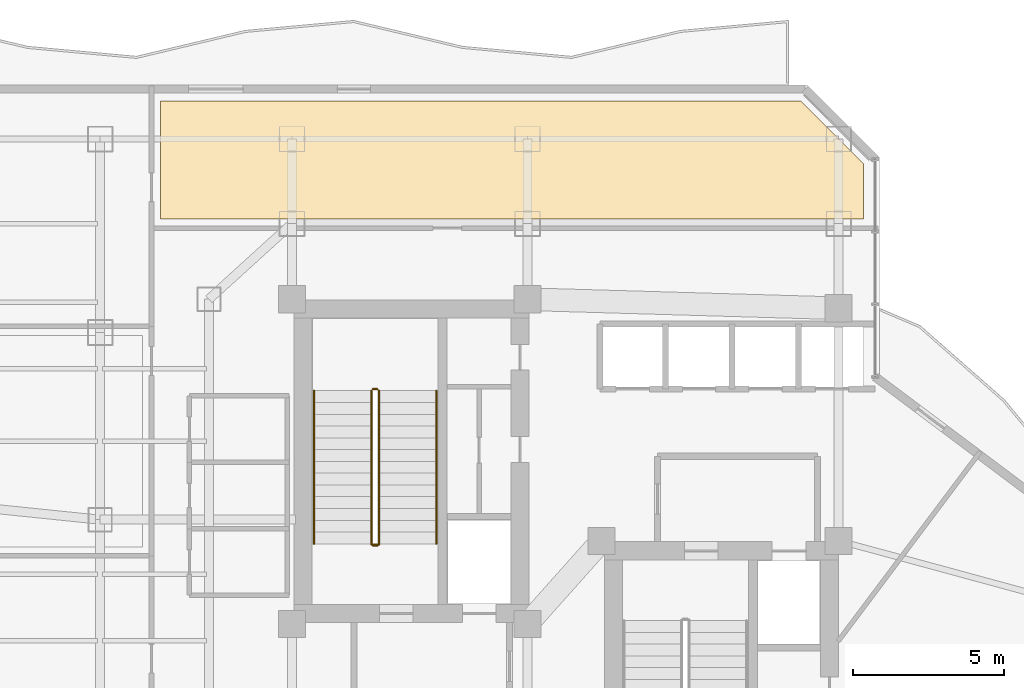
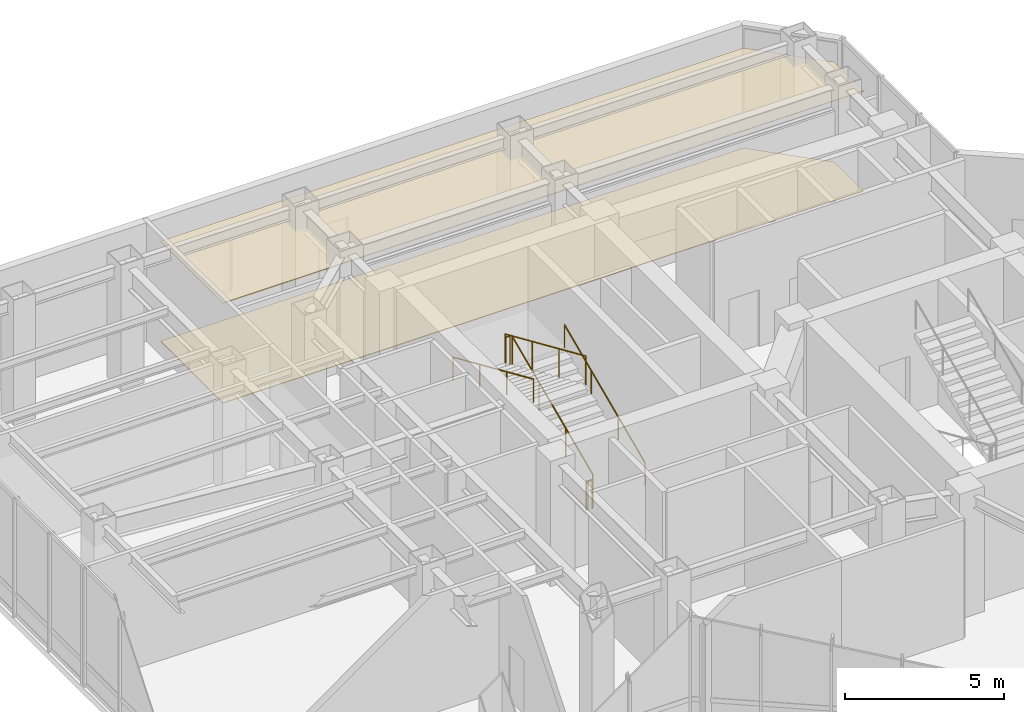
# One storey, part 29 of 30: 7 railings, 2 coverings.
"""IFC4 building model written with IfcOpenShell, lengths in metres."""

import ifcopenshell
import ifcopenshell.guid

model = None  # the IFC model being written
_history = None  # IfcOwnerHistory: only IFC2X3 demands one
_inside = {}  # id of a spatial element -> (the spatial element, [elements in it])
_under = {}  # id of a project, library or spatial element -> (it, [spatial elements below it])
_declared = {}  # id of a project -> (the project, [libraries it declares])
_typed = {}  # id of a type object -> (the type object, [elements of that type])
_made_of = {}  # id of a material, layer set ... -> (it, [elements and type objects made of it])


def new_model(schema):
    """Start an empty IFC model of exactly this schema.

    Asked for "IFC4X3", IfcOpenShell would pick the latest addendum, in which some entities
    have other attributes; the version numbers below select the first issue.
    IFC2X3 requires an IfcOwnerHistory on every rooted entity: one is made here for all.
    """
    global model, _history
    if schema == "IFC4X3":
        model = ifcopenshell.file(schema_version=(4, 3, 0, 0))
    else:
        model = ifcopenshell.file(schema=schema)
    _inside.clear()
    _under.clear()
    _declared.clear()
    _typed.clear()
    _made_of.clear()
    _history = None
    if model.schema == "IFC2X3":
        org = make("IfcOrganization", Name="unknown")
        user = make(
            "IfcPersonAndOrganization",
            ThePerson=make("IfcPerson", FamilyName="unknown"),
            TheOrganization=org,
        )
        app = make(
            "IfcApplication",
            ApplicationDeveloper=org,
            Version="unknown",
            ApplicationFullName="unknown",
            ApplicationIdentifier="unknown",
        )
        _history = make(
            "IfcOwnerHistory",
            OwningUser=user,
            OwningApplication=app,
            ChangeAction="ADDED",
            CreationDate=0,
        )
    return model


def make(cls, **values):
    """One entity of the class cls with the attributes given. An attribute that is None is left unset."""
    return model.create_entity(
        cls, **{name: value for name, value in values.items() if value is not None}
    )


def rooted(cls, **values):
    """An entity with a GlobalId (a new one), such as an element, a storey or a relation."""
    return make(cls, GlobalId=ifcopenshell.guid.new(), OwnerHistory=_history, **values)


def si_unit(unit_type, name, prefix=None):
    """IfcSIUnit, for example si_unit("LENGTHUNIT", "METRE", prefix="MILLI")."""
    return make("IfcSIUnit", UnitType=unit_type, Prefix=prefix, Name=name)


def assignment(units):
    """IfcUnitAssignment: the units of a project."""
    return None if units is None else make("IfcUnitAssignment", Units=units)


def point(xyz):
    """IfcCartesianPoint."""
    return None if xyz is None else make("IfcCartesianPoint", Coordinates=xyz)


def direction(xyz):
    """IfcDirection."""
    return None if xyz is None else make("IfcDirection", DirectionRatios=xyz)


def frame(location, z_axis=None, x_axis=None):
    """IfcAxis2Placement3D, a coordinate frame: its origin and axes. An axis left out is left unset."""
    return make(
        "IfcAxis2Placement3D",
        Location=point(location),
        Axis=direction(z_axis),
        RefDirection=direction(x_axis),
    )


def frame_2d(location, x_axis=None):
    """IfcAxis2Placement2D, a coordinate frame in the plane: its origin and x axis."""
    return make(
        "IfcAxis2Placement2D", Location=point(location), RefDirection=direction(x_axis)
    )


def origin():
    """The frame at (0, 0, 0) with its axes left unset."""
    return frame((0.0, 0.0, 0.0))


def origin_2d():
    """The frame at (0, 0) in the plane with its x axis left unset."""
    return frame_2d((0.0, 0.0))


def place(relative_to, where):
    """IfcLocalPlacement: puts the frame where relative to a parent placement (None: the world)."""
    return make(
        "IfcLocalPlacement", PlacementRelTo=relative_to, RelativePlacement=where
    )


def context(
    kind, dimensions, precision=None, world=None, true_north=None, identifier=None
):
    """IfcGeometricRepresentationContext, for example the 3D "Model" context."""
    return make(
        "IfcGeometricRepresentationContext",
        ContextIdentifier=identifier,
        ContextType=kind,
        CoordinateSpaceDimension=dimensions,
        Precision=precision,
        WorldCoordinateSystem=world,
        TrueNorth=true_north,
    )


def subcontext(parent, identifier, kind, view, scale=None):
    """IfcGeometricRepresentationSubContext, for example "Body" below "Model"."""
    return make(
        "IfcGeometricRepresentationSubContext",
        ContextIdentifier=identifier,
        ContextType=kind,
        ParentContext=parent,
        TargetScale=scale,
        TargetView=view,
    )


def project(units=None, contexts=None):
    """IfcProject with its units and contexts."""
    return rooted(
        "IfcProject",
        Name="project",
        RepresentationContexts=contexts,
        UnitsInContext=assignment(units),
    )


def spatial(cls, under=None, at=None, **own):
    """A site, building, storey or space (cls), placed at a placement, below another one or the project."""
    s = rooted(cls, ObjectPlacement=at, **own)
    if under is not None:
        _under.setdefault(under.id(), (under, []))[1].append(s)
    return s


def polyline(points):
    """IfcPolyline through the points."""
    return make("IfcPolyline", Points=[point(p) for p in points])


def profile(cls, at=None, kind="AREA", **sizes):
    """A parametric profile (cls). Its sizes go by their IFC names, for example OverallWidth=200.0."""
    return make(cls, ProfileType=kind, Position=at, **sizes)


def circle(**sizes):
    """IfcCircleProfileDef."""
    return profile("IfcCircleProfileDef", **sizes)


def outline(outer, holes=None, kind="AREA"):
    """IfcArbitraryClosedProfileDef: a profile drawn as a closed curve; with holes, ...WithVoids."""
    if holes is None:
        return make("IfcArbitraryClosedProfileDef", ProfileType=kind, OuterCurve=outer)
    return make(
        "IfcArbitraryProfileDefWithVoids",
        ProfileType=kind,
        OuterCurve=outer,
        InnerCurves=holes,
    )


def extrude(swept, where, along, depth):
    """IfcExtrudedAreaSolid: the profile swept, set in the frame where, extruded along a direction by depth."""
    return make(
        "IfcExtrudedAreaSolid",
        SweptArea=swept,
        Position=where,
        ExtrudedDirection=direction(along),
        Depth=depth,
    )


def shape(context_of_items, identifier, shape_type, items):
    """IfcShapeRepresentation: the items that make up one representation, for example the "Body"."""
    return make(
        "IfcShapeRepresentation",
        ContextOfItems=context_of_items,
        RepresentationIdentifier=identifier,
        RepresentationType=shape_type,
        Items=items,
    )


def material(Name=None, Category=None):
    """IfcMaterial."""
    return make("IfcMaterial", Name=Name, Category=Category)


def layer(
    of_material, thickness, ventilated=None, Name=None, Category=None, Priority=None
):
    """IfcMaterialLayer: one layer of a wall or slab, of a material (None: an air gap)."""
    return make(
        "IfcMaterialLayer",
        Material=of_material,
        LayerThickness=thickness,
        IsVentilated=ventilated,
        Name=Name,
        Category=Category,
        Priority=Priority,
    )


def layer_set(layers, Name=None):
    """IfcMaterialLayerSet."""
    return make("IfcMaterialLayerSet", MaterialLayers=layers, LayerSetName=Name)


def made_of(thing, what):
    """Note that an element or type object is made of a material, layer set ...; save() writes the relation."""
    if what is not None:
        _made_of.setdefault(what.id(), (what, []))[1].append(thing)
    return thing


def type_object(cls, material=None, **own):
    """A type object (cls), such as IfcWallType, which elements share."""
    return made_of(rooted(cls, **own), material)


def element(
    cls,
    number,
    at=None,
    inside=None,
    cuts=None,
    type_object=None,
    material=None,
    context=None,
    identifier="Body",
    shape_type=None,
    held_by="IfcProductDefinitionShape",
    body=None,
    shapes=None,
    **own,
):
    """One element of the class cls, such as IfcWall. Its Tag is "e" and its number.

    at: its placement. inside: the storey or other place that contains it. cuts: it is an
    opening in that element (IfcRelVoidsElement). A single representation is given by context,
    identifier, shape_type and body (its items); several are given by shapes. held_by: the class
    of the entity that holds the representations. save() writes the other relations.
    """
    e = rooted(cls, Tag="e%d" % number, ObjectPlacement=at, **own)
    if body is not None:
        shapes = [shape(context, identifier, shape_type, body)]
    if shapes is not None:
        e.Representation = make(held_by, Representations=shapes)
    if inside is not None:
        _inside.setdefault(inside.id(), (inside, []))[1].append(e)
    if cuts is not None:
        rooted(
            "IfcRelVoidsElement", RelatingBuildingElement=cuts, RelatedOpeningElement=e
        )
    if type_object is not None:
        _typed.setdefault(type_object.id(), (type_object, []))[1].append(e)
    return made_of(e, material)


def aggregate(whole, parts):
    """IfcRelAggregates: a whole, such as a stair, and the parts it consists of."""
    return rooted("IfcRelAggregates", RelatingObject=whole, RelatedObjects=parts)


def save(model, path):
    """Write the relations noted so far, then the file.

    IfcRelAggregates (storeys below a building ...), IfcRelContainedInSpatialStructure (elements
    in a storey), IfcRelDefinesByType, IfcRelAssociatesMaterial and IfcRelDeclares: one each for
    every whole, place, type object, material and project.
    """
    for whole, parts in _under.values():
        aggregate(whole, parts)
    for where, things in _inside.values():
        rooted(
            "IfcRelContainedInSpatialStructure",
            RelatedElements=things,
            RelatingStructure=where,
        )
    for kind, things in _typed.values():
        rooted("IfcRelDefinesByType", RelatedObjects=things, RelatingType=kind)
    for what, things in _made_of.values():
        rooted("IfcRelAssociatesMaterial", RelatedObjects=things, RelatingMaterial=what)
    for by, libraries in _declared.values():
        rooted("IfcRelDeclares", RelatingContext=by, RelatedDefinitions=libraries)
    model.write(path)


model = new_model("IFC4")

# Units and contexts
model_context = context("Model", 3, precision=1e-05, world=origin(), true_north=direction((0.0, 1.0)))
body_context = subcontext(model_context, "Body", "Model", "MODEL_VIEW")
ifc_project = project(units=[si_unit("LENGTHUNIT", "METRE"), si_unit("AREAUNIT", "SQUARE_METRE"), si_unit("VOLUMEUNIT", "CUBIC_METRE"), si_unit("PLANEANGLEUNIT", "RADIAN"), si_unit("MASSUNIT", "GRAM", prefix="KILO")], contexts=[model_context])

# Site, building, storey
site_placement = place(None, origin())
site = spatial("IfcSite", under=ifc_project, at=site_placement, CompositionType="ELEMENT")
building_placement = place(site_placement, origin())
building = spatial("IfcBuilding", under=site, at=building_placement, Name="Hatsunagi Terrace Concourse", CompositionType="ELEMENT")
storey_placement = place(building_placement, frame((0.0, 0.0, 130.050048828125)))
storey = spatial("IfcBuildingStorey", under=building, at=storey_placement, Name="L34", CompositionType="ELEMENT", Elevation=130.050048828125)

# Covering
ifc_material_1 = material(Name="Granite stone paving", Category="masonry")
ifc_layer_1 = layer(ifc_material_1, 0.02490234375)
ifc_layer_set_1 = layer_set([ifc_layer_1], Name="GraniteStoneFlooring_25")
covering_type_1 = type_object("IfcCoveringType", Name="GraniteStoneFlooring_25", PredefinedType="FLOORING", material=ifc_layer_set_1)
covering_1_placement = place(storey_placement, origin())
element("IfcCovering", 1, at=covering_1_placement, inside=storey, type_object=covering_type_1, Name="Finished Flooring L34-1", PredefinedType="FLOORING", context=body_context, shape_type="SweptSolid", body=[
    extrude(outline(polyline([(42.3798828125, 49.8701171875), (21.199951171875, 49.8701171875), (21.199951171875, 45.949951171875), (44.469970703125, 45.949951171875), (44.469970703125, 47.780029296875), (42.3798828125, 49.8701171875)])), origin(), (0.0, 0.0, 1.0), 0.02490234375),
])

# Railings
ifc_material_2 = material(Name="Stainless steel", Category="steel")
ifc_layer_2 = layer(ifc_material_2, 0.044921875)
ifc_layer_set_2 = layer_set([ifc_layer_2], Name="StairPitchHandrail_Tower2000")
railing_type_1 = type_object("IfcRailingType", Name="StairPitchHandrail_Tower2000", PredefinedType="HANDRAIL", material=ifc_layer_set_2)
railing_1_placement = place(storey_placement, frame((30.330078125, 35.199951171875, 0.17138671875)))
element("IfcRailing", 2, at=railing_1_placement, inside=storey, type_object=railing_type_1, Name="L34 ST-A stair handrail 1", PredefinedType="HANDRAIL", context=body_context, shape_type="SweptSolid", body=[
    extrude(circle(Radius=0.02392578125, at=origin_2d()), frame((0.0, 0.0, 0.8759765625), z_axis=(0.0, 0.915469019145, 0.40238846279), x_axis=(-1.0, 0.0, 0.0)), (0.0, 0.0, 1.0), 5.538330078125),
    extrude(circle(Radius=0.02099609375, at=origin_2d()), origin(), (0.0, 0.0, 1.0), 0.851806640625),
    extrude(circle(Radius=0.02099609375, at=origin_2d()), frame((0.0, 1.68994140625, 0.742919921875)), (0.0, 0.0, 1.0), 0.851806640625),
    extrude(circle(Radius=0.02099609375, at=origin_2d()), frame((0.0, 3.380126953125, 1.485595703125)), (0.0, 0.0, 1.0), 0.851806640625),
    extrude(circle(Radius=0.02099609375, at=origin_2d()), frame((0.0, 5.070068359375, 2.228515625)), (0.0, 0.0, 1.0), 0.851806640625),
])
railing_2_placement = place(storey_placement, frame((26.280029296875, 40.27001953125, 2.5712890625)))
element("IfcRailing", 3, at=railing_2_placement, inside=storey, type_object=railing_type_1, Name="L34 ST-A stair handrail 2", PredefinedType="HANDRAIL", context=body_context, shape_type="SweptSolid", body=[
    extrude(circle(Radius=0.02392578125, at=origin_2d()), frame((0.0, 0.0, 0.8759765625), z_axis=(0.0, -0.915452779696, 0.402425406936), x_axis=(1.0, 0.0, 0.0)), (0.0, 0.0, 1.0), 5.538330078125),
    extrude(circle(Radius=0.02099609375, at=origin_2d()), origin(), (0.0, 0.0, 1.0), 0.851806640625),
    extrude(circle(Radius=0.02099609375, at=origin_2d()), frame((0.0, -1.68994140625, 0.742919921875)), (0.0, 0.0, 1.0), 0.851806640625),
    extrude(circle(Radius=0.02099609375, at=origin_2d()), frame((0.0, -3.380126953125, 1.48583984375)), (0.0, 0.0, 1.0), 0.851806640625),
    extrude(circle(Radius=0.02099609375, at=origin_2d()), frame((0.0, -5.070068359375, 2.228759765625)), (0.0, 0.0, 1.0), 0.851806640625),
])
ifc_material_3 = material(Name="Stainless steel", Category="steel")
ifc_layer_3 = layer(ifc_material_3, 0.06005859375)
ifc_layer_set_3 = layer_set([ifc_layer_3], Name="StairWellGuard_Tower2000")
railing_type_2 = type_object("IfcRailingType", Name="StairWellGuard_Tower2000", PredefinedType="BALUSTRADE", material=ifc_layer_set_3)
railing_3_placement = place(storey_placement, frame((28.429931640625, 35.199951171875, 0.17138671875)))
element("IfcRailing", 4, at=railing_3_placement, inside=storey, type_object=railing_type_2, Name="L34 ST-A stair guard 1", PredefinedType="BALUSTRADE", context=body_context, shape_type="SweptSolid", body=[
    extrude(circle(Radius=0.02392578125, at=origin_2d()), frame((0.0, 0.0, 1.09619140625), z_axis=(0.0, 0.915469019145, 0.40238846279), x_axis=(-1.0, 0.0, 0.0)), (0.0, 0.0, 1.0), 5.538330078125),
    extrude(circle(Radius=0.02099609375, at=origin_2d()), origin(), (0.0, 0.0, 1.0), 1.072021484375),
    extrude(circle(Radius=0.02099609375, at=origin_2d()), frame((0.0, 1.68994140625, 0.742919921875)), (0.0, 0.0, 1.0), 1.072021484375),
    extrude(circle(Radius=0.02099609375, at=origin_2d()), frame((0.0, 3.380126953125, 1.485595703125)), (0.0, 0.0, 1.0), 1.072021484375),
    extrude(circle(Radius=0.02099609375, at=origin_2d()), frame((0.0, 5.070068359375, 2.228515625)), (0.0, 0.0, 1.0), 1.072021484375),
])
railing_4_placement = place(storey_placement, frame((28.3798828125, 40.320068359375, 2.39990234375)))
element("IfcRailing", 5, at=railing_4_placement, inside=storey, type_object=railing_type_2, Name="L34 ST-A stair guard 2", PredefinedType="BALUSTRADE", context=body_context, shape_type="SweptSolid", body=[
    extrude(circle(Radius=0.02392578125, at=origin_2d()), frame((0.0, 0.0, 1.09619140625), z_axis=(-1.0, 0.0, 0.0), x_axis=(0.0, -1.0, 0.0)), (0.0, 0.0, 1.0), 0.14990234375),
    extrude(circle(Radius=0.02099609375, at=origin_2d()), origin(), (0.0, 0.0, 1.0), 1.072021484375),
    extrude(circle(Radius=0.02099609375, at=origin_2d()), frame((-0.14990234375, 0.0, 0.0)), (0.0, 0.0, 1.0), 1.072021484375),
])
railing_5_placement = place(storey_placement, frame((28.179931640625, 40.27001953125, 2.5712890625)))
element("IfcRailing", 6, at=railing_5_placement, inside=storey, type_object=railing_type_2, Name="L34 ST-A stair guard 3", PredefinedType="BALUSTRADE", context=body_context, shape_type="SweptSolid", body=[
    extrude(circle(Radius=0.02392578125, at=origin_2d()), frame((0.0, 0.0, 1.09619140625), z_axis=(0.0, -0.915452779696, 0.402425406936), x_axis=(1.0, 0.0, 0.0)), (0.0, 0.0, 1.0), 5.538330078125),
    extrude(circle(Radius=0.02099609375, at=origin_2d()), origin(), (0.0, 0.0, 1.0), 1.072021484375),
    extrude(circle(Radius=0.02099609375, at=origin_2d()), frame((0.0, -1.68994140625, 0.742919921875)), (0.0, 0.0, 1.0), 1.072021484375),
    extrude(circle(Radius=0.02099609375, at=origin_2d()), frame((0.0, -3.380126953125, 1.48583984375)), (0.0, 0.0, 1.0), 1.072021484375),
    extrude(circle(Radius=0.02099609375, at=origin_2d()), frame((0.0, -5.070068359375, 2.228759765625)), (0.0, 0.0, 1.0), 1.072021484375),
])
railing_6_placement = place(storey_placement, frame((28.3798828125, 35.14990234375, 0.0)))
element("IfcRailing", 7, at=railing_6_placement, inside=storey, type_object=railing_type_2, Name="L34 ST-A stair guard 4", PredefinedType="BALUSTRADE", context=body_context, shape_type="SweptSolid", body=[
    extrude(circle(Radius=0.02392578125, at=origin_2d()), frame((0.0, 0.0, 1.09619140625), z_axis=(-1.0, 0.0, 0.0), x_axis=(0.0, -1.0, 0.0)), (0.0, 0.0, 1.0), 0.14990234375),
    extrude(circle(Radius=0.02099609375, at=origin_2d()), origin(), (0.0, 0.0, 1.0), 1.072021484375),
    extrude(circle(Radius=0.02099609375, at=origin_2d()), frame((-0.14990234375, 0.0, 0.0)), (0.0, 0.0, 1.0), 1.072021484375),
])
ifc_material_4 = material(Name="Stainless Steel SUS316 Post-and-Rail Guard", Category="steel")
ifc_layer_4 = layer(ifc_material_4, 0.080078125)
ifc_layer_set_4 = layer_set([ifc_layer_4], Name="TerracePlantedGuardRail_1200")
railing_type_3 = type_object("IfcRailingType", Name="TerracePlantedGuardRail_1200", PredefinedType="GUARDRAIL", material=ifc_layer_set_4)
railing_7_placement = place(storey_placement, frame((28.179931640625, 35.179931640625, 0.0)))
element("IfcRailing", 8, at=railing_7_placement, inside=storey, type_object=railing_type_3, Name="Stair ST-A Well Closure Guard L34", PredefinedType="GUARDRAIL", context=body_context, shape_type="SweptSolid", body=[
    extrude(circle(Radius=0.02392578125, at=origin_2d()), frame((0.0, 0.0, 1.09619140625), z_axis=(1.0, 0.0, 0.0), x_axis=(0.0, 1.0, 0.0)), (0.0, 0.0, 1.0), 0.25),
    extrude(circle(Radius=0.02099609375, at=origin_2d()), origin(), (0.0, 0.0, 1.0), 1.072021484375),
    extrude(circle(Radius=0.02099609375, at=origin_2d()), frame((0.25, 0.0, 0.0)), (0.0, 0.0, 1.0), 1.072021484375),
])

# Covering
ifc_material_5 = material(Name="Hardwood timber", Category="wood")
ifc_layer_5 = layer(ifc_material_5, 0.034912109375)
ifc_layer_set_5 = layer_set([ifc_layer_5], Name="TimberBaffleCeiling_35")
covering_type_2 = type_object("IfcCoveringType", Name="TimberBaffleCeiling_35", PredefinedType="CEILING", material=ifc_layer_set_5)
covering_2_placement = place(storey_placement, frame((0.0, 0.0, 3.829833984375)))
element("IfcCovering", 9, at=covering_2_placement, inside=storey, type_object=covering_type_2, Name="Suspended Ceiling L34-1", PredefinedType="CEILING", context=body_context, shape_type="SweptSolid", body=[
    extrude(outline(polyline([(42.3798828125, 49.8701171875), (21.199951171875, 49.8701171875), (21.199951171875, 45.949951171875), (44.469970703125, 45.949951171875), (44.469970703125, 47.780029296875), (42.3798828125, 49.8701171875)])), origin(), (0.0, 0.0, 1.0), 0.03515625),
])

save(model, "model.ifc")
